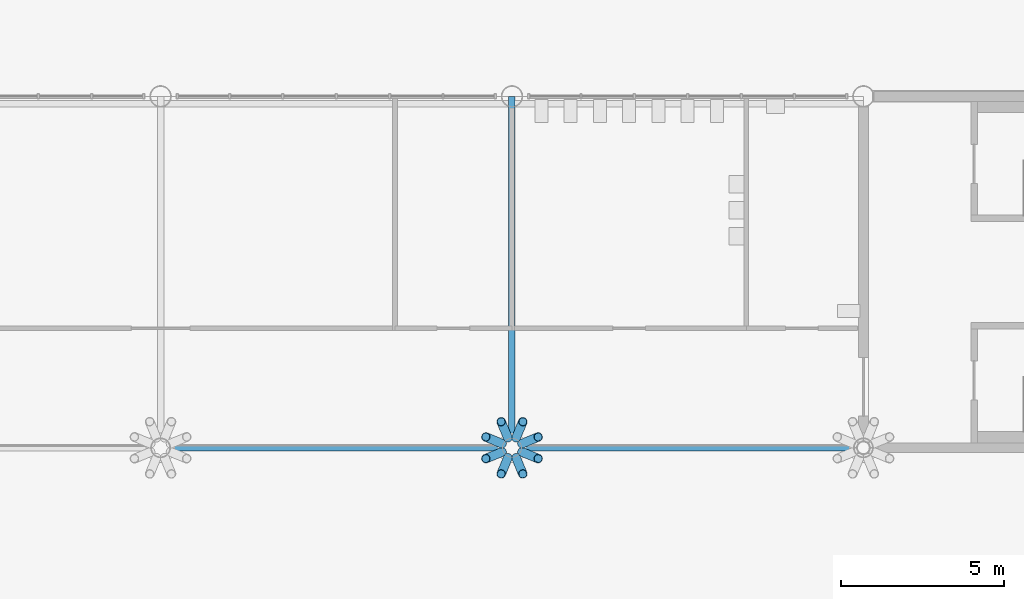
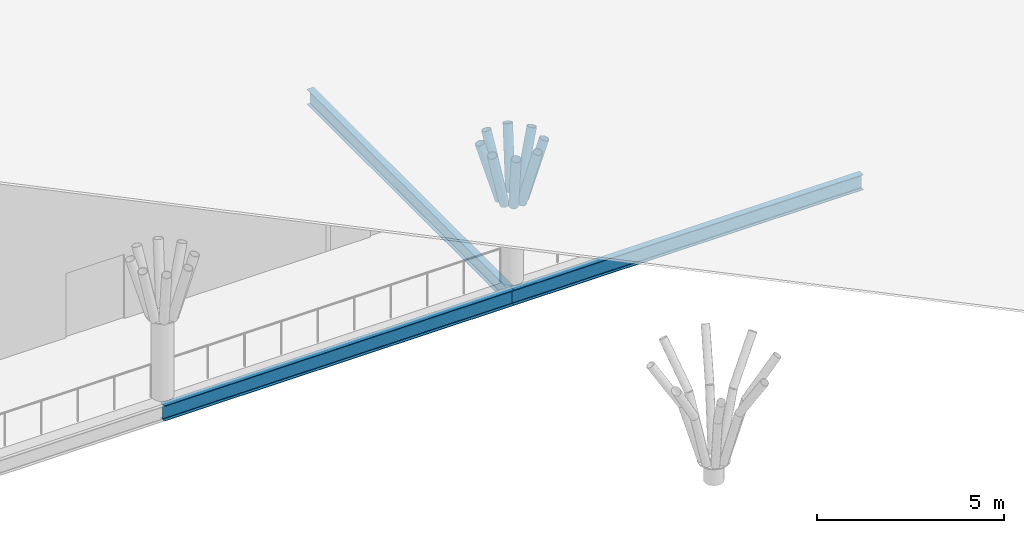
# One storey, part 13 of 56: 8 members, 3 beams.
"""IFC4 building model written with IfcOpenShell, lengths in metres."""

from ifc_helpers import new_model, si_unit, direction, frame, origin, origin_2d, place, context, subcontext, project, spatial, hollow_circle, i_section, extrude, material, material_profile, profile_set, type_object, element, save


model = new_model("IFC4")

# Units and contexts
model_context = context("Model", 3, precision=1e-05, world=origin(), true_north=direction((0.0, 1.0)))
body_context = subcontext(model_context, "Body", "Model", "MODEL_VIEW")
ifc_project = project(units=[si_unit("LENGTHUNIT", "METRE"), si_unit("AREAUNIT", "SQUARE_METRE"), si_unit("VOLUMEUNIT", "CUBIC_METRE"), si_unit("PLANEANGLEUNIT", "RADIAN"), si_unit("MASSUNIT", "GRAM", prefix="KILO")], contexts=[model_context])

# Site, building, storey
site_placement = place(None, origin())
site = spatial("IfcSite", under=ifc_project, at=site_placement, CompositionType="ELEMENT")
building_placement = place(site_placement, origin())
building = spatial("IfcBuilding", under=site, at=building_placement, Name="Magnolia Steps Interchange", CompositionType="ELEMENT")
storey_placement = place(building_placement, frame((0.0, 0.0, 8.699951171875)))
storey = spatial("IfcBuildingStorey", under=building, at=storey_placement, Name="L02", CompositionType="ELEMENT", Elevation=8.699951171875)

# Beams
ifc_material_1 = material(Name="Steel Q355B", Category="steel")
ifc_material_profile_1 = material_profile(ifc_material_1, i_section(OverallWidth=0.199951171875, OverallDepth=0.5, WebThickness=0.010009765625, FlangeThickness=0.01611328125, FilletRadius=0.02001953125, at=origin_2d()), Name="HN500x200")
ifc_profile_set_1 = profile_set([ifc_material_profile_1], Name="Steel Q355B")
beam_type = type_object("IfcBeamType", Name="Steel composite beam HN500x200", PredefinedType="BEAM", material=ifc_profile_set_1)
beam_placement = place(storey_placement, frame((85.60009765625, 74.800048828125, -0.550048828125), z_axis=(1.0, 0.0, 0.0), x_axis=(0.0, 1.0, 0.0)))
element("IfcBeam", 1, at=beam_placement, inside=storey, type_object=beam_type, Name="Beam L02 G 8-9", PredefinedType="BEAM", context=body_context, shape_type="SweptSolid", body=[
    extrude(i_section(OverallWidth=0.199951171875, OverallDepth=0.5, WebThickness=0.010009765625, FlangeThickness=0.01611328125, FilletRadius=0.02001953125, at=origin_2d()), origin(), (0.0, 0.0, 1.0), 10.7998046875),
])
for number, where, z_axis, x_axis, name in (
    (2, (96.39990234375, 74.800048828125, -0.550048828125), (1.0, 0.0, 0.0), (0.0, 1.0, 0.0), "Beam L02 G 9-10"),
    (3, (96.39990234375, 74.800048828125, -0.550048828125), (0.0, 1.0, 0.0), (-1.0, 0.0, 0.0), "Beam L02 9 G-H"),
):
    element("IfcBeam", number, at=place(storey_placement, frame(where, z_axis=z_axis, x_axis=x_axis)), inside=storey, type_object=beam_type, Name=name, PredefinedType="BEAM", context=body_context, shape_type="SweptSolid", body=[
        extrude(i_section(OverallWidth=0.199951171875, OverallDepth=0.5, WebThickness=0.010009765625, FlangeThickness=0.01611328125, FilletRadius=0.02001953125, at=origin_2d()), origin(), (0.0, 0.0, 1.0), 10.800048828125),
    ])

# Members
ifc_material_2 = material(Name="Steel Q355B", Category="steel")
ifc_material_profile_2 = material_profile(ifc_material_2, hollow_circle(Radius=0.136474609375, WallThickness=0.013916015625, at=origin_2d()), Name="CHS273x14")
ifc_profile_set_2 = profile_set([ifc_material_profile_2], Name="Steel Q355B")
member_type = type_object("IfcMemberType", Name="Tree rib CHS273x14", PredefinedType="USERDEFINED", material=ifc_profile_set_2)
member_placement = place(storey_placement, frame((96.704833984375, 74.92626953125, 2.645751953125), z_axis=(0.254661831218, 0.105558015292, 0.961251713719), x_axis=(-0.382911401564, 0.923785071622, 0.0)))
element("IfcMember", 4, at=member_placement, inside=storey, type_object=member_type, Name="Tree rib TH05D", ObjectType="TREE RIB", PredefinedType="USERDEFINED", context=body_context, shape_type="SweptSolid", body=[
    extrude(hollow_circle(Radius=0.136474609375, WallThickness=0.013916015625, at=origin_2d()), origin(), (0.0, 0.0, 1.0), 1.956787109375),
])
for number, where, z_axis, x_axis, name in (
    (5, (96.5263671875, 75.10498046875, 2.645751953125), (0.10543463007, 0.254665183401, 0.961264366938), (-0.923945120737, 0.382525049986, 0.0), "Tree rib TH05D"),
    (6, (96.273681640625, 75.10498046875, 2.645751953125), (-0.10543463007, 0.254665183401, 0.961264366938), (-0.923945120737, -0.382525049986, 0.0), "Tree rib TH05D"),
):
    element("IfcMember", number, at=place(storey_placement, frame(where, z_axis=z_axis, x_axis=x_axis)), inside=storey, type_object=member_type, Name=name, ObjectType="TREE RIB", PredefinedType="USERDEFINED", context=body_context, shape_type="SweptSolid", body=[
        extrude(hollow_circle(Radius=0.136474609375, WallThickness=0.013916015625, at=origin_2d()), origin(), (0.0, 0.0, 1.0), 1.95654296875),
    ])
for number, where, z_axis, x_axis, name in (
    (7, (96.09521484375, 74.92626953125, 2.645751953125), (-0.25477850686, 0.10555466053, 0.96122116398), (-0.382751360581, -0.923851392797, 0.0), "Tree rib TH05D"),
    (8, (96.09521484375, 74.673583984375, 2.645751953125), (-0.254781860366, -0.105431279142, 0.961233815992), (0.382365115113, -0.924011319598, 0.0), "Tree rib TH05D"),
):
    element("IfcMember", number, at=place(storey_placement, frame(where, z_axis=z_axis, x_axis=x_axis)), inside=storey, type_object=member_type, Name=name, ObjectType="TREE RIB", PredefinedType="USERDEFINED", context=body_context, shape_type="SweptSolid", body=[
        extrude(hollow_circle(Radius=0.136474609375, WallThickness=0.013916015625, at=origin_2d()), origin(), (0.0, 0.0, 1.0), 1.956787109375),
    ])
for number, where, z_axis, x_axis, name in (
    (9, (96.273681640625, 74.4951171875, 2.645751953125), (-0.10543463007, -0.254665183401, 0.961264366938), (0.923945120737, -0.382525049986, 0.0), "Tree rib TH05D"),
    (10, (96.5263671875, 74.4951171875, 2.645751953125), (0.10543463007, -0.254665183401, 0.961264366938), (0.923945120737, 0.382525049986, 0.0), "Tree rib TH05D"),
    (11, (96.704833984375, 74.673583984375, 2.645751953125), (0.254665183401, -0.10543463007, 0.961264366938), (0.382525049986, 0.923945120737, 0.0), "Tree rib TH05D"),
):
    element("IfcMember", number, at=place(storey_placement, frame(where, z_axis=z_axis, x_axis=x_axis)), inside=storey, type_object=member_type, Name=name, ObjectType="TREE RIB", PredefinedType="USERDEFINED", context=body_context, shape_type="SweptSolid", body=[
        extrude(hollow_circle(Radius=0.136474609375, WallThickness=0.013916015625, at=origin_2d()), origin(), (0.0, 0.0, 1.0), 1.95654296875),
    ])

save(model, "model.ifc")
